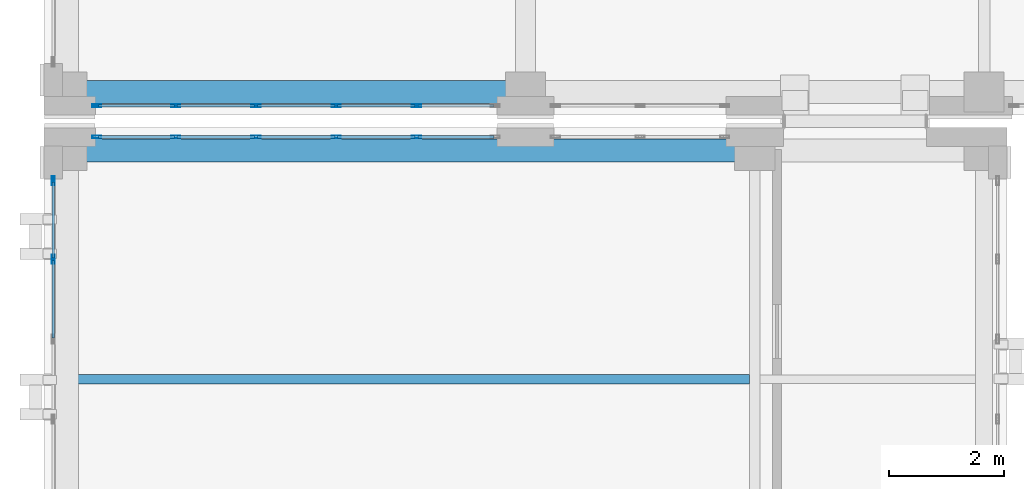
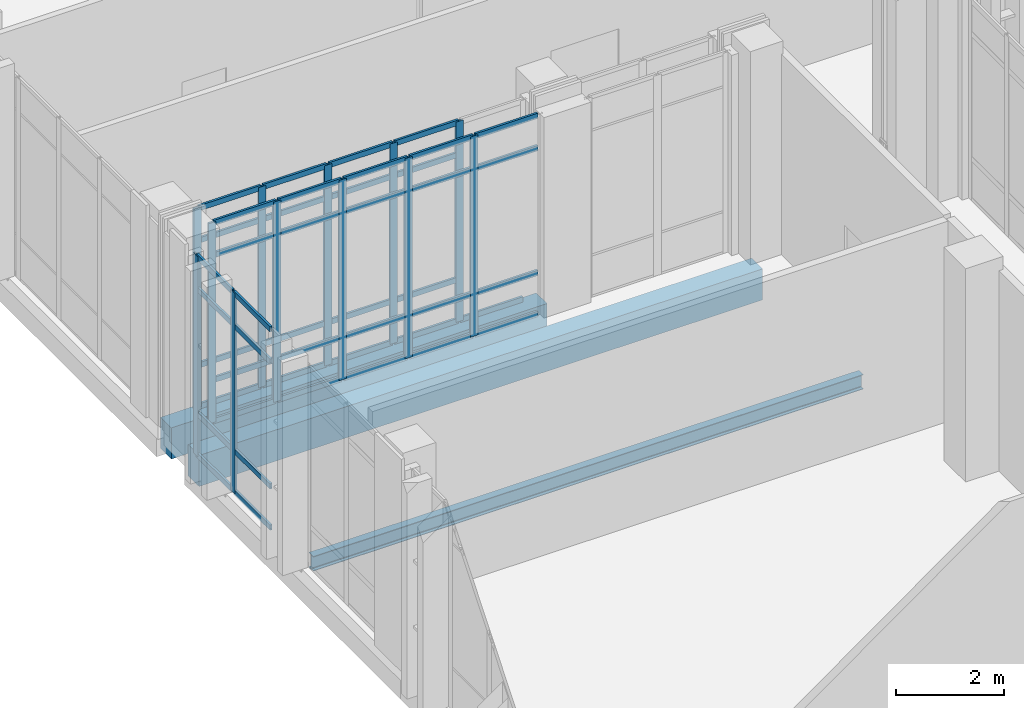
# One storey, part 78 of 189: 57 members, 3 beams, 3 elements without a shape of their own.
"""IFC4 building model written with IfcOpenShell, lengths in metres."""

from ifc_helpers import new_model, si_unit, direction, frame, origin, origin_2d, place, context, subcontext, project, spatial, rectangle, hollow_rectangle, i_section, extrude, material, layer, layer_set, material_profile, profile_set, type_object, element, aggregate, save


model = new_model("IFC4")

# Units and contexts
model_context = context("Model", 3, precision=1e-05, world=origin(), true_north=direction((0.0, 1.0)))
body_context = subcontext(model_context, "Body", "Model", "MODEL_VIEW")
ifc_project = project(units=[si_unit("LENGTHUNIT", "METRE"), si_unit("AREAUNIT", "SQUARE_METRE"), si_unit("VOLUMEUNIT", "CUBIC_METRE"), si_unit("PLANEANGLEUNIT", "RADIAN"), si_unit("MASSUNIT", "GRAM", prefix="KILO")], contexts=[model_context])

# Site, building, storey
site_placement = place(None, origin())
site = spatial("IfcSite", under=ifc_project, at=site_placement, CompositionType="ELEMENT")
building_placement = place(site_placement, origin())
building = spatial("IfcBuilding", under=site, at=building_placement, Name="Qalavern Law Courts", CompositionType="ELEMENT")
storey_placement = place(building_placement, frame((0.0, 0.0, 5.39990234375)))
storey = spatial("IfcBuildingStorey", under=building, at=storey_placement, Name="L01", CompositionType="ELEMENT", Elevation=5.39990234375)

# Curtain wall, members
ifc_material_1 = material(Name="Anodised aluminium and insulated glazing", Category="aluminium")
ifc_layer_1 = layer(ifc_material_1, 0.172119140625)
ifc_layer_set_1 = layer_set([ifc_layer_1], Name="Anodised aluminium and insulated glazing")
curtain_wall_type_1 = type_object("IfcCurtainWallType", Name="ENV-CW-COURT", PredefinedType="USERDEFINED", material=ifc_layer_set_1)
curtain_wall_1_placement = place(storey_placement, origin())
curtain_wall_1 = element("IfcCurtainWall", 1, at=curtain_wall_1_placement, inside=storey, type_object=curtain_wall_type_1, Name="V3 unitised curtain wall L01 north 2", ObjectType="UNITISED CURTAIN WALL", PredefinedType="USERDEFINED")
ifc_material_2 = material(Name="Anodised aluminium", Category="aluminium")
ifc_material_profile_1 = material_profile(ifc_material_2, hollow_rectangle(XDim=0.048095703125, YDim=0.159912109375, WallThickness=0.00390625, at=origin_2d()), Name="ALU MULLION 48x160")
ifc_profile_set_1 = profile_set([ifc_material_profile_1], Name="Anodised aluminium")
member_type_1 = type_object("IfcMemberType", Name="ENV-CWM-48x160", PredefinedType="MULLION", material=ifc_profile_set_1)
member_1_placement = place(storey_placement, frame((8.5, 95.8173828125, 0.0), z_axis=(0.0, 0.0, 1.0), x_axis=(0.0, -1.0, 0.0)))
member_1 = element("IfcMember", 2, at=member_1_placement, type_object=member_type_1, Name="CW-03 mullion 2", PredefinedType="MULLION", context=body_context, shape_type="SweptSolid", body=[
    extrude(hollow_rectangle(XDim=0.048095703125, YDim=0.159912109375, WallThickness=0.00390625, at=origin_2d()), origin(), (0.0, 0.0, 1.0), 4.510009765625),
])
member_2_placement = place(storey_placement, frame((7.10009765625, 95.8173828125, 0.0), z_axis=(0.0, 0.0, 1.0), x_axis=(0.0, -1.0, 0.0)))
member_2 = element("IfcMember", 3, at=member_2_placement, type_object=member_type_1, Name="CW-03 mullion 3", PredefinedType="MULLION", context=body_context, shape_type="SweptSolid", body=[
    extrude(hollow_rectangle(XDim=0.048095703125, YDim=0.159912109375, WallThickness=0.00390625, at=origin_2d()), origin(), (0.0, 0.0, 1.0), 4.510009765625),
])
member_3_placement = place(storey_placement, frame((5.699951171875, 95.8173828125, 0.0), z_axis=(0.0, 0.0, 1.0), x_axis=(0.0, -1.0, 0.0)))
member_3 = element("IfcMember", 4, at=member_3_placement, type_object=member_type_1, Name="CW-03 mullion 4", PredefinedType="MULLION", context=body_context, shape_type="SweptSolid", body=[
    extrude(hollow_rectangle(XDim=0.048095703125, YDim=0.159912109375, WallThickness=0.00390625, at=origin_2d()), origin(), (0.0, 0.0, 1.0), 4.510009765625),
])
member_4_placement = place(storey_placement, frame((4.300048828125, 95.8173828125, 0.0), z_axis=(0.0, 0.0, 1.0), x_axis=(0.0, -1.0, 0.0)))
member_4 = element("IfcMember", 5, at=member_4_placement, type_object=member_type_1, Name="CW-03 mullion 5", PredefinedType="MULLION", context=body_context, shape_type="SweptSolid", body=[
    extrude(hollow_rectangle(XDim=0.048095703125, YDim=0.159912109375, WallThickness=0.00390625, at=origin_2d()), origin(), (0.0, 0.0, 1.0), 4.510009765625),
])
member_5_placement = place(storey_placement, frame((2.924072265625, 95.8173828125, 0.0), z_axis=(0.0, 0.0, 1.0), x_axis=(0.0, -1.0, 0.0)))
member_5 = element("IfcMember", 6, at=member_5_placement, type_object=member_type_1, Name="CW-03 mullion 6", PredefinedType="MULLION", context=body_context, shape_type="SweptSolid", body=[
    extrude(hollow_rectangle(XDim=0.048095703125, YDim=0.159912109375, WallThickness=0.00390625, at=origin_2d()), origin(), (0.0, 0.0, 1.0), 4.510009765625),
])

curtain_wall_2_placement = place(storey_placement, origin())
curtain_wall_2 = element("IfcCurtainWall", 7, at=curtain_wall_2_placement, inside=storey, type_object=curtain_wall_type_1, Name="V3 unitised curtain wall L01 west 1", ObjectType="UNITISED CURTAIN WALL", PredefinedType="USERDEFINED")
member_6_placement = place(storey_placement, frame((2.16259765625, 95.055908203125, 0.0), z_axis=(0.0, 0.0, 1.0), x_axis=(1.0, 0.0, 0.0)))
member_6 = element("IfcMember", 8, at=member_6_placement, type_object=member_type_1, Name="CW-03 mullion 1", PredefinedType="MULLION", context=body_context, shape_type="SweptSolid", body=[
    extrude(hollow_rectangle(XDim=0.048095703125, YDim=0.159912109375, WallThickness=0.00390625, at=origin_2d()), origin(), (0.0, 0.0, 1.0), 4.510009765625),
])
member_7_placement = place(storey_placement, frame((2.16259765625, 93.68408203125, 0.0), z_axis=(0.0, 0.0, 1.0), x_axis=(1.0, 0.0, 0.0)))
member_7 = element("IfcMember", 9, at=member_7_placement, type_object=member_type_1, Name="CW-03 mullion 2", PredefinedType="MULLION", context=body_context, shape_type="SweptSolid", body=[
    extrude(hollow_rectangle(XDim=0.048095703125, YDim=0.159912109375, WallThickness=0.00390625, at=origin_2d()), origin(), (0.0, 0.0, 1.0), 4.510009765625),
])

ifc_layer_2 = layer(ifc_material_1, 0.166015625)
ifc_layer_set_2 = layer_set([ifc_layer_2], Name="Anodised aluminium and insulated glazing")
curtain_wall_type_2 = type_object("IfcCurtainWallType", Name="ENV-CW-LIB", PredefinedType="USERDEFINED", material=ifc_layer_set_2)
curtain_wall_3_placement = place(storey_placement, origin())
curtain_wall_3 = element("IfcCurtainWall", 10, at=curtain_wall_3_placement, inside=storey, type_object=curtain_wall_type_2, Name="V5 unitised curtain wall L01 south 1", ObjectType="UNITISED CURTAIN WALL", PredefinedType="USERDEFINED")
member_8_placement = place(storey_placement, frame((2.924072265625, 96.362548828125, 0.0), z_axis=(0.0, 0.0, 1.0), x_axis=(0.0, 1.0, 0.0)))
member_8 = element("IfcMember", 11, at=member_8_placement, type_object=member_type_1, Name="CW-05 mullion 1", PredefinedType="MULLION", context=body_context, shape_type="SweptSolid", body=[
    extrude(hollow_rectangle(XDim=0.048095703125, YDim=0.159912109375, WallThickness=0.00390625, at=origin_2d()), origin(), (0.0, 0.0, 1.0), 4.510009765625),
])
member_9_placement = place(storey_placement, frame((4.300048828125, 96.362548828125, 0.0), z_axis=(0.0, 0.0, 1.0), x_axis=(0.0, 1.0, 0.0)))
member_9 = element("IfcMember", 12, at=member_9_placement, type_object=member_type_1, Name="CW-05 mullion 2", PredefinedType="MULLION", context=body_context, shape_type="SweptSolid", body=[
    extrude(hollow_rectangle(XDim=0.048095703125, YDim=0.159912109375, WallThickness=0.00390625, at=origin_2d()), origin(), (0.0, 0.0, 1.0), 4.510009765625),
])
member_10_placement = place(storey_placement, frame((5.699951171875, 96.362548828125, 0.0), z_axis=(0.0, 0.0, 1.0), x_axis=(0.0, 1.0, 0.0)))
member_10 = element("IfcMember", 13, at=member_10_placement, type_object=member_type_1, Name="CW-05 mullion 3", PredefinedType="MULLION", context=body_context, shape_type="SweptSolid", body=[
    extrude(hollow_rectangle(XDim=0.048095703125, YDim=0.159912109375, WallThickness=0.00390625, at=origin_2d()), origin(), (0.0, 0.0, 1.0), 4.510009765625),
])
member_11_placement = place(storey_placement, frame((7.10009765625, 96.362548828125, 0.0), z_axis=(0.0, 0.0, 1.0), x_axis=(0.0, 1.0, 0.0)))
member_11 = element("IfcMember", 14, at=member_11_placement, type_object=member_type_1, Name="CW-05 mullion 4", PredefinedType="MULLION", context=body_context, shape_type="SweptSolid", body=[
    extrude(hollow_rectangle(XDim=0.048095703125, YDim=0.159912109375, WallThickness=0.00390625, at=origin_2d()), origin(), (0.0, 0.0, 1.0), 4.510009765625),
])
member_12_placement = place(storey_placement, frame((8.5, 96.362548828125, 0.0), z_axis=(0.0, 0.0, 1.0), x_axis=(0.0, 1.0, 0.0)))
member_12 = element("IfcMember", 15, at=member_12_placement, type_object=member_type_1, Name="CW-05 mullion 5", PredefinedType="MULLION", context=body_context, shape_type="SweptSolid", body=[
    extrude(hollow_rectangle(XDim=0.048095703125, YDim=0.159912109375, WallThickness=0.00390625, at=origin_2d()), origin(), (0.0, 0.0, 1.0), 4.510009765625),
])

# Member
ifc_material_profile_2 = material_profile(ifc_material_2, hollow_rectangle(XDim=0.048095703125, YDim=0.1201171875, WallThickness=0.00390625, at=origin_2d()), Name="ALU TRANSOM 48x120")
ifc_profile_set_2 = profile_set([ifc_material_profile_2], Name="Anodised aluminium")
member_type_2 = type_object("IfcMemberType", Name="ENV-CWT-48x120", PredefinedType="USERDEFINED", material=ifc_profile_set_2)
member_13_placement = place(storey_placement, frame((9.85205078125, 95.8173828125, 0.024169921875), z_axis=(-1.0, 0.0, 0.0), x_axis=(0.0, -1.0, 0.0)))
member_13 = element("IfcMember", 16, at=member_13_placement, type_object=member_type_2, Name="CW-03 transom 1.1", ObjectType="TRANSOM", PredefinedType="USERDEFINED", context=body_context, shape_type="SweptSolid", body=[
    extrude(hollow_rectangle(XDim=0.048095703125, YDim=0.1201171875, WallThickness=0.00390625, at=origin_2d()), origin(), (0.0, 0.0, 1.0), 1.328125),
])

member_14_placement = place(storey_placement, frame((9.85205078125, 95.8173828125, 0.9501953125), z_axis=(-1.0, 0.0, 0.0), x_axis=(0.0, -1.0, 0.0)))
member_14 = element("IfcMember", 17, at=member_14_placement, type_object=member_type_2, Name="CW-03 transom 1.2", ObjectType="TRANSOM", PredefinedType="USERDEFINED", context=body_context, shape_type="SweptSolid", body=[
    extrude(hollow_rectangle(XDim=0.048095703125, YDim=0.1201171875, WallThickness=0.00390625, at=origin_2d()), origin(), (0.0, 0.0, 1.0), 1.328125),
])

member_15_placement = place(storey_placement, frame((9.85205078125, 95.8173828125, 3.760009765625), z_axis=(-1.0, 0.0, 0.0), x_axis=(0.0, -1.0, 0.0)))
member_15 = element("IfcMember", 18, at=member_15_placement, type_object=member_type_2, Name="CW-03 transom 1.3", ObjectType="TRANSOM", PredefinedType="USERDEFINED", context=body_context, shape_type="SweptSolid", body=[
    extrude(hollow_rectangle(XDim=0.048095703125, YDim=0.1201171875, WallThickness=0.00390625, at=origin_2d()), origin(), (0.0, 0.0, 1.0), 1.328125),
])

member_16_placement = place(storey_placement, frame((9.85205078125, 95.8173828125, 4.486083984375), z_axis=(-1.0, 0.0, 0.0), x_axis=(0.0, -1.0, 0.0)))
member_16 = element("IfcMember", 19, at=member_16_placement, type_object=member_type_2, Name="CW-03 transom 1.4", ObjectType="TRANSOM", PredefinedType="USERDEFINED", context=body_context, shape_type="SweptSolid", body=[
    extrude(hollow_rectangle(XDim=0.048095703125, YDim=0.1201171875, WallThickness=0.00390625, at=origin_2d()), origin(), (0.0, 0.0, 1.0), 1.328125),
])

member_17_placement = place(storey_placement, frame((8.47607421875, 95.8173828125, 0.024169921875), z_axis=(-1.0, 0.0, 0.0), x_axis=(0.0, -1.0, 0.0)))
member_17 = element("IfcMember", 20, at=member_17_placement, type_object=member_type_2, Name="CW-03 transom 2.1", ObjectType="TRANSOM", PredefinedType="USERDEFINED", context=body_context, shape_type="SweptSolid", body=[
    extrude(hollow_rectangle(XDim=0.048095703125, YDim=0.1201171875, WallThickness=0.00390625, at=origin_2d()), origin(), (0.0, 0.0, 1.0), 1.35205078125),
])

member_18_placement = place(storey_placement, frame((8.47607421875, 95.8173828125, 0.9501953125), z_axis=(-1.0, 0.0, 0.0), x_axis=(0.0, -1.0, 0.0)))
member_18 = element("IfcMember", 21, at=member_18_placement, type_object=member_type_2, Name="CW-03 transom 2.2", ObjectType="TRANSOM", PredefinedType="USERDEFINED", context=body_context, shape_type="SweptSolid", body=[
    extrude(hollow_rectangle(XDim=0.048095703125, YDim=0.1201171875, WallThickness=0.00390625, at=origin_2d()), origin(), (0.0, 0.0, 1.0), 1.35205078125),
])

member_19_placement = place(storey_placement, frame((8.47607421875, 95.8173828125, 3.760009765625), z_axis=(-1.0, 0.0, 0.0), x_axis=(0.0, -1.0, 0.0)))
member_19 = element("IfcMember", 22, at=member_19_placement, type_object=member_type_2, Name="CW-03 transom 2.3", ObjectType="TRANSOM", PredefinedType="USERDEFINED", context=body_context, shape_type="SweptSolid", body=[
    extrude(hollow_rectangle(XDim=0.048095703125, YDim=0.1201171875, WallThickness=0.00390625, at=origin_2d()), origin(), (0.0, 0.0, 1.0), 1.35205078125),
])

member_20_placement = place(storey_placement, frame((8.47607421875, 95.8173828125, 4.486083984375), z_axis=(-1.0, 0.0, 0.0), x_axis=(0.0, -1.0, 0.0)))
member_20 = element("IfcMember", 23, at=member_20_placement, type_object=member_type_2, Name="CW-03 transom 2.4", ObjectType="TRANSOM", PredefinedType="USERDEFINED", context=body_context, shape_type="SweptSolid", body=[
    extrude(hollow_rectangle(XDim=0.048095703125, YDim=0.1201171875, WallThickness=0.00390625, at=origin_2d()), origin(), (0.0, 0.0, 1.0), 1.35205078125),
])

member_21_placement = place(storey_placement, frame((7.075927734375, 95.8173828125, 0.024169921875), z_axis=(-1.0, 0.0, 0.0), x_axis=(0.0, -1.0, 0.0)))
member_21 = element("IfcMember", 24, at=member_21_placement, type_object=member_type_2, Name="CW-03 transom 3.1", ObjectType="TRANSOM", PredefinedType="USERDEFINED", context=body_context, shape_type="SweptSolid", body=[
    extrude(hollow_rectangle(XDim=0.048095703125, YDim=0.1201171875, WallThickness=0.00390625, at=origin_2d()), origin(), (0.0, 0.0, 1.0), 1.351806640625),
])

member_22_placement = place(storey_placement, frame((7.075927734375, 95.8173828125, 0.9501953125), z_axis=(-1.0, 0.0, 0.0), x_axis=(0.0, -1.0, 0.0)))
member_22 = element("IfcMember", 25, at=member_22_placement, type_object=member_type_2, Name="CW-03 transom 3.2", ObjectType="TRANSOM", PredefinedType="USERDEFINED", context=body_context, shape_type="SweptSolid", body=[
    extrude(hollow_rectangle(XDim=0.048095703125, YDim=0.1201171875, WallThickness=0.00390625, at=origin_2d()), origin(), (0.0, 0.0, 1.0), 1.351806640625),
])

member_23_placement = place(storey_placement, frame((7.075927734375, 95.8173828125, 3.760009765625), z_axis=(-1.0, 0.0, 0.0), x_axis=(0.0, -1.0, 0.0)))
member_23 = element("IfcMember", 26, at=member_23_placement, type_object=member_type_2, Name="CW-03 transom 3.3", ObjectType="TRANSOM", PredefinedType="USERDEFINED", context=body_context, shape_type="SweptSolid", body=[
    extrude(hollow_rectangle(XDim=0.048095703125, YDim=0.1201171875, WallThickness=0.00390625, at=origin_2d()), origin(), (0.0, 0.0, 1.0), 1.351806640625),
])

member_24_placement = place(storey_placement, frame((7.075927734375, 95.8173828125, 4.486083984375), z_axis=(-1.0, 0.0, 0.0), x_axis=(0.0, -1.0, 0.0)))
member_24 = element("IfcMember", 27, at=member_24_placement, type_object=member_type_2, Name="CW-03 transom 3.4", ObjectType="TRANSOM", PredefinedType="USERDEFINED", context=body_context, shape_type="SweptSolid", body=[
    extrude(hollow_rectangle(XDim=0.048095703125, YDim=0.1201171875, WallThickness=0.00390625, at=origin_2d()), origin(), (0.0, 0.0, 1.0), 1.351806640625),
])

member_25_placement = place(storey_placement, frame((5.676025390625, 95.8173828125, 0.024169921875), z_axis=(-1.0, 0.0, 0.0), x_axis=(0.0, -1.0, 0.0)))
member_25 = element("IfcMember", 28, at=member_25_placement, type_object=member_type_2, Name="CW-03 transom 4.1", ObjectType="TRANSOM", PredefinedType="USERDEFINED", context=body_context, shape_type="SweptSolid", body=[
    extrude(hollow_rectangle(XDim=0.048095703125, YDim=0.1201171875, WallThickness=0.00390625, at=origin_2d()), origin(), (0.0, 0.0, 1.0), 1.35205078125),
])

member_26_placement = place(storey_placement, frame((5.676025390625, 95.8173828125, 0.9501953125), z_axis=(-1.0, 0.0, 0.0), x_axis=(0.0, -1.0, 0.0)))
member_26 = element("IfcMember", 29, at=member_26_placement, type_object=member_type_2, Name="CW-03 transom 4.2", ObjectType="TRANSOM", PredefinedType="USERDEFINED", context=body_context, shape_type="SweptSolid", body=[
    extrude(hollow_rectangle(XDim=0.048095703125, YDim=0.1201171875, WallThickness=0.00390625, at=origin_2d()), origin(), (0.0, 0.0, 1.0), 1.35205078125),
])

member_27_placement = place(storey_placement, frame((5.676025390625, 95.8173828125, 3.760009765625), z_axis=(-1.0, 0.0, 0.0), x_axis=(0.0, -1.0, 0.0)))
member_27 = element("IfcMember", 30, at=member_27_placement, type_object=member_type_2, Name="CW-03 transom 4.3", ObjectType="TRANSOM", PredefinedType="USERDEFINED", context=body_context, shape_type="SweptSolid", body=[
    extrude(hollow_rectangle(XDim=0.048095703125, YDim=0.1201171875, WallThickness=0.00390625, at=origin_2d()), origin(), (0.0, 0.0, 1.0), 1.35205078125),
])

member_28_placement = place(storey_placement, frame((5.676025390625, 95.8173828125, 4.486083984375), z_axis=(-1.0, 0.0, 0.0), x_axis=(0.0, -1.0, 0.0)))
member_28 = element("IfcMember", 31, at=member_28_placement, type_object=member_type_2, Name="CW-03 transom 4.4", ObjectType="TRANSOM", PredefinedType="USERDEFINED", context=body_context, shape_type="SweptSolid", body=[
    extrude(hollow_rectangle(XDim=0.048095703125, YDim=0.1201171875, WallThickness=0.00390625, at=origin_2d()), origin(), (0.0, 0.0, 1.0), 1.35205078125),
])

member_29_placement = place(storey_placement, frame((4.27587890625, 95.8173828125, 0.024169921875), z_axis=(-1.0, 0.0, 0.0), x_axis=(0.0, -1.0, 0.0)))
member_29 = element("IfcMember", 32, at=member_29_placement, type_object=member_type_2, Name="CW-03 transom 5.1", ObjectType="TRANSOM", PredefinedType="USERDEFINED", context=body_context, shape_type="SweptSolid", body=[
    extrude(hollow_rectangle(XDim=0.048095703125, YDim=0.1201171875, WallThickness=0.00390625, at=origin_2d()), origin(), (0.0, 0.0, 1.0), 1.327880859375),
])

member_30_placement = place(storey_placement, frame((4.27587890625, 95.8173828125, 0.9501953125), z_axis=(-1.0, 0.0, 0.0), x_axis=(0.0, -1.0, 0.0)))
member_30 = element("IfcMember", 33, at=member_30_placement, type_object=member_type_2, Name="CW-03 transom 5.2", ObjectType="TRANSOM", PredefinedType="USERDEFINED", context=body_context, shape_type="SweptSolid", body=[
    extrude(hollow_rectangle(XDim=0.048095703125, YDim=0.1201171875, WallThickness=0.00390625, at=origin_2d()), origin(), (0.0, 0.0, 1.0), 1.327880859375),
])

member_31_placement = place(storey_placement, frame((4.27587890625, 95.8173828125, 3.760009765625), z_axis=(-1.0, 0.0, 0.0), x_axis=(0.0, -1.0, 0.0)))
member_31 = element("IfcMember", 34, at=member_31_placement, type_object=member_type_2, Name="CW-03 transom 5.3", ObjectType="TRANSOM", PredefinedType="USERDEFINED", context=body_context, shape_type="SweptSolid", body=[
    extrude(hollow_rectangle(XDim=0.048095703125, YDim=0.1201171875, WallThickness=0.00390625, at=origin_2d()), origin(), (0.0, 0.0, 1.0), 1.327880859375),
])

member_32_placement = place(storey_placement, frame((4.27587890625, 95.8173828125, 4.486083984375), z_axis=(-1.0, 0.0, 0.0), x_axis=(0.0, -1.0, 0.0)))
member_32 = element("IfcMember", 35, at=member_32_placement, type_object=member_type_2, Name="CW-03 transom 5.4", ObjectType="TRANSOM", PredefinedType="USERDEFINED", context=body_context, shape_type="SweptSolid", body=[
    extrude(hollow_rectangle(XDim=0.048095703125, YDim=0.1201171875, WallThickness=0.00390625, at=origin_2d()), origin(), (0.0, 0.0, 1.0), 1.327880859375),
])

aggregate(curtain_wall_1, [member_1, member_2, member_3, member_4, member_5, member_13, member_14, member_15, member_16, member_17, member_18, member_19, member_20, member_21, member_22, member_23, member_24, member_25, member_26, member_27, member_28, member_29, member_30, member_31, member_32])

member_33_placement = place(storey_placement, frame((2.16259765625, 95.031982421875, 0.024169921875), z_axis=(0.0, -1.0, 0.0), x_axis=(1.0, 0.0, 0.0)))
member_33 = element("IfcMember", 36, at=member_33_placement, type_object=member_type_2, Name="CW-03 transom 1.1", ObjectType="TRANSOM", PredefinedType="USERDEFINED", context=body_context, shape_type="SweptSolid", body=[
    extrude(hollow_rectangle(XDim=0.048095703125, YDim=0.1201171875, WallThickness=0.00390625, at=origin_2d()), origin(), (0.0, 0.0, 1.0), 1.323974609375),
])

member_34_placement = place(storey_placement, frame((2.16259765625, 95.031982421875, 0.9501953125), z_axis=(0.0, -1.0, 0.0), x_axis=(1.0, 0.0, 0.0)))
member_34 = element("IfcMember", 37, at=member_34_placement, type_object=member_type_2, Name="CW-03 transom 1.2", ObjectType="TRANSOM", PredefinedType="USERDEFINED", context=body_context, shape_type="SweptSolid", body=[
    extrude(hollow_rectangle(XDim=0.048095703125, YDim=0.1201171875, WallThickness=0.00390625, at=origin_2d()), origin(), (0.0, 0.0, 1.0), 1.323974609375),
])

member_35_placement = place(storey_placement, frame((2.16259765625, 95.031982421875, 3.760009765625), z_axis=(0.0, -1.0, 0.0), x_axis=(1.0, 0.0, 0.0)))
member_35 = element("IfcMember", 38, at=member_35_placement, type_object=member_type_2, Name="CW-03 transom 1.3", ObjectType="TRANSOM", PredefinedType="USERDEFINED", context=body_context, shape_type="SweptSolid", body=[
    extrude(hollow_rectangle(XDim=0.048095703125, YDim=0.1201171875, WallThickness=0.00390625, at=origin_2d()), origin(), (0.0, 0.0, 1.0), 1.323974609375),
])

member_36_placement = place(storey_placement, frame((2.16259765625, 95.031982421875, 4.486083984375), z_axis=(0.0, -1.0, 0.0), x_axis=(1.0, 0.0, 0.0)))
member_36 = element("IfcMember", 39, at=member_36_placement, type_object=member_type_2, Name="CW-03 transom 1.4", ObjectType="TRANSOM", PredefinedType="USERDEFINED", context=body_context, shape_type="SweptSolid", body=[
    extrude(hollow_rectangle(XDim=0.048095703125, YDim=0.1201171875, WallThickness=0.00390625, at=origin_2d()), origin(), (0.0, 0.0, 1.0), 1.323974609375),
])

member_37_placement = place(storey_placement, frame((2.16259765625, 93.659912109375, 0.024169921875), z_axis=(0.0, -1.0, 0.0), x_axis=(1.0, 0.0, 0.0)))
member_37 = element("IfcMember", 40, at=member_37_placement, type_object=member_type_2, Name="CW-03 transom 2.1", ObjectType="TRANSOM", PredefinedType="USERDEFINED", context=body_context, shape_type="SweptSolid", body=[
    extrude(hollow_rectangle(XDim=0.048095703125, YDim=0.1201171875, WallThickness=0.00390625, at=origin_2d()), origin(), (0.0, 0.0, 1.0), 1.347900390625),
])

member_38_placement = place(storey_placement, frame((2.16259765625, 93.659912109375, 0.9501953125), z_axis=(0.0, -1.0, 0.0), x_axis=(1.0, 0.0, 0.0)))
member_38 = element("IfcMember", 41, at=member_38_placement, type_object=member_type_2, Name="CW-03 transom 2.2", ObjectType="TRANSOM", PredefinedType="USERDEFINED", context=body_context, shape_type="SweptSolid", body=[
    extrude(hollow_rectangle(XDim=0.048095703125, YDim=0.1201171875, WallThickness=0.00390625, at=origin_2d()), origin(), (0.0, 0.0, 1.0), 1.347900390625),
])

member_39_placement = place(storey_placement, frame((2.16259765625, 93.659912109375, 3.760009765625), z_axis=(0.0, -1.0, 0.0), x_axis=(1.0, 0.0, 0.0)))
member_39 = element("IfcMember", 42, at=member_39_placement, type_object=member_type_2, Name="CW-03 transom 2.3", ObjectType="TRANSOM", PredefinedType="USERDEFINED", context=body_context, shape_type="SweptSolid", body=[
    extrude(hollow_rectangle(XDim=0.048095703125, YDim=0.1201171875, WallThickness=0.00390625, at=origin_2d()), origin(), (0.0, 0.0, 1.0), 1.347900390625),
])

member_40_placement = place(storey_placement, frame((2.16259765625, 93.659912109375, 4.486083984375), z_axis=(0.0, -1.0, 0.0), x_axis=(1.0, 0.0, 0.0)))
member_40 = element("IfcMember", 43, at=member_40_placement, type_object=member_type_2, Name="CW-03 transom 2.4", ObjectType="TRANSOM", PredefinedType="USERDEFINED", context=body_context, shape_type="SweptSolid", body=[
    extrude(hollow_rectangle(XDim=0.048095703125, YDim=0.1201171875, WallThickness=0.00390625, at=origin_2d()), origin(), (0.0, 0.0, 1.0), 1.347900390625),
])

aggregate(curtain_wall_2, [member_6, member_7, member_33, member_34, member_35, member_36, member_37, member_38, member_39, member_40])

member_41_placement = place(storey_placement, frame((2.947998046875, 96.362548828125, 0.024169921875), z_axis=(1.0, 0.0, 0.0), x_axis=(0.0, 1.0, 0.0)))
member_41 = element("IfcMember", 44, at=member_41_placement, type_object=member_type_2, Name="CW-05 transom 1.1", ObjectType="TRANSOM", PredefinedType="USERDEFINED", context=body_context, shape_type="SweptSolid", body=[
    extrude(hollow_rectangle(XDim=0.048095703125, YDim=0.1201171875, WallThickness=0.00390625, at=origin_2d()), origin(), (0.0, 0.0, 1.0), 1.327880859375),
])

member_42_placement = place(storey_placement, frame((2.947998046875, 96.362548828125, 0.9501953125), z_axis=(1.0, 0.0, 0.0), x_axis=(0.0, 1.0, 0.0)))
member_42 = element("IfcMember", 45, at=member_42_placement, type_object=member_type_2, Name="CW-05 transom 1.2", ObjectType="TRANSOM", PredefinedType="USERDEFINED", context=body_context, shape_type="SweptSolid", body=[
    extrude(hollow_rectangle(XDim=0.048095703125, YDim=0.1201171875, WallThickness=0.00390625, at=origin_2d()), origin(), (0.0, 0.0, 1.0), 1.327880859375),
])

member_43_placement = place(storey_placement, frame((2.947998046875, 96.362548828125, 3.760009765625), z_axis=(1.0, 0.0, 0.0), x_axis=(0.0, 1.0, 0.0)))
member_43 = element("IfcMember", 46, at=member_43_placement, type_object=member_type_2, Name="CW-05 transom 1.3", ObjectType="TRANSOM", PredefinedType="USERDEFINED", context=body_context, shape_type="SweptSolid", body=[
    extrude(hollow_rectangle(XDim=0.048095703125, YDim=0.1201171875, WallThickness=0.00390625, at=origin_2d()), origin(), (0.0, 0.0, 1.0), 1.327880859375),
])

member_44_placement = place(storey_placement, frame((2.947998046875, 96.362548828125, 4.486083984375), z_axis=(1.0, 0.0, 0.0), x_axis=(0.0, 1.0, 0.0)))
member_44 = element("IfcMember", 47, at=member_44_placement, type_object=member_type_2, Name="CW-05 transom 1.4", ObjectType="TRANSOM", PredefinedType="USERDEFINED", context=body_context, shape_type="SweptSolid", body=[
    extrude(hollow_rectangle(XDim=0.048095703125, YDim=0.1201171875, WallThickness=0.00390625, at=origin_2d()), origin(), (0.0, 0.0, 1.0), 1.327880859375),
])

member_45_placement = place(storey_placement, frame((4.323974609375, 96.362548828125, 0.024169921875), z_axis=(1.0, 0.0, 0.0), x_axis=(0.0, 1.0, 0.0)))
member_45 = element("IfcMember", 48, at=member_45_placement, type_object=member_type_2, Name="CW-05 transom 2.1", ObjectType="TRANSOM", PredefinedType="USERDEFINED", context=body_context, shape_type="SweptSolid", body=[
    extrude(hollow_rectangle(XDim=0.048095703125, YDim=0.1201171875, WallThickness=0.00390625, at=origin_2d()), origin(), (0.0, 0.0, 1.0), 1.35205078125),
])

member_46_placement = place(storey_placement, frame((4.323974609375, 96.362548828125, 0.9501953125), z_axis=(1.0, 0.0, 0.0), x_axis=(0.0, 1.0, 0.0)))
member_46 = element("IfcMember", 49, at=member_46_placement, type_object=member_type_2, Name="CW-05 transom 2.2", ObjectType="TRANSOM", PredefinedType="USERDEFINED", context=body_context, shape_type="SweptSolid", body=[
    extrude(hollow_rectangle(XDim=0.048095703125, YDim=0.1201171875, WallThickness=0.00390625, at=origin_2d()), origin(), (0.0, 0.0, 1.0), 1.35205078125),
])

member_47_placement = place(storey_placement, frame((4.323974609375, 96.362548828125, 3.760009765625), z_axis=(1.0, 0.0, 0.0), x_axis=(0.0, 1.0, 0.0)))
member_47 = element("IfcMember", 50, at=member_47_placement, type_object=member_type_2, Name="CW-05 transom 2.3", ObjectType="TRANSOM", PredefinedType="USERDEFINED", context=body_context, shape_type="SweptSolid", body=[
    extrude(hollow_rectangle(XDim=0.048095703125, YDim=0.1201171875, WallThickness=0.00390625, at=origin_2d()), origin(), (0.0, 0.0, 1.0), 1.35205078125),
])

member_48_placement = place(storey_placement, frame((4.323974609375, 96.362548828125, 4.486083984375), z_axis=(1.0, 0.0, 0.0), x_axis=(0.0, 1.0, 0.0)))
member_48 = element("IfcMember", 51, at=member_48_placement, type_object=member_type_2, Name="CW-05 transom 2.4", ObjectType="TRANSOM", PredefinedType="USERDEFINED", context=body_context, shape_type="SweptSolid", body=[
    extrude(hollow_rectangle(XDim=0.048095703125, YDim=0.1201171875, WallThickness=0.00390625, at=origin_2d()), origin(), (0.0, 0.0, 1.0), 1.35205078125),
])

member_49_placement = place(storey_placement, frame((5.72412109375, 96.362548828125, 0.024169921875), z_axis=(1.0, 0.0, 0.0), x_axis=(0.0, 1.0, 0.0)))
member_49 = element("IfcMember", 52, at=member_49_placement, type_object=member_type_2, Name="CW-05 transom 3.1", ObjectType="TRANSOM", PredefinedType="USERDEFINED", context=body_context, shape_type="SweptSolid", body=[
    extrude(hollow_rectangle(XDim=0.048095703125, YDim=0.1201171875, WallThickness=0.00390625, at=origin_2d()), origin(), (0.0, 0.0, 1.0), 1.351806640625),
])

member_50_placement = place(storey_placement, frame((5.72412109375, 96.362548828125, 0.9501953125), z_axis=(1.0, 0.0, 0.0), x_axis=(0.0, 1.0, 0.0)))
member_50 = element("IfcMember", 53, at=member_50_placement, type_object=member_type_2, Name="CW-05 transom 3.2", ObjectType="TRANSOM", PredefinedType="USERDEFINED", context=body_context, shape_type="SweptSolid", body=[
    extrude(hollow_rectangle(XDim=0.048095703125, YDim=0.1201171875, WallThickness=0.00390625, at=origin_2d()), origin(), (0.0, 0.0, 1.0), 1.351806640625),
])

member_51_placement = place(storey_placement, frame((5.72412109375, 96.362548828125, 3.760009765625), z_axis=(1.0, 0.0, 0.0), x_axis=(0.0, 1.0, 0.0)))
member_51 = element("IfcMember", 54, at=member_51_placement, type_object=member_type_2, Name="CW-05 transom 3.3", ObjectType="TRANSOM", PredefinedType="USERDEFINED", context=body_context, shape_type="SweptSolid", body=[
    extrude(hollow_rectangle(XDim=0.048095703125, YDim=0.1201171875, WallThickness=0.00390625, at=origin_2d()), origin(), (0.0, 0.0, 1.0), 1.351806640625),
])

member_52_placement = place(storey_placement, frame((5.72412109375, 96.362548828125, 4.486083984375), z_axis=(1.0, 0.0, 0.0), x_axis=(0.0, 1.0, 0.0)))
member_52 = element("IfcMember", 55, at=member_52_placement, type_object=member_type_2, Name="CW-05 transom 3.4", ObjectType="TRANSOM", PredefinedType="USERDEFINED", context=body_context, shape_type="SweptSolid", body=[
    extrude(hollow_rectangle(XDim=0.048095703125, YDim=0.1201171875, WallThickness=0.00390625, at=origin_2d()), origin(), (0.0, 0.0, 1.0), 1.351806640625),
])

member_53_placement = place(storey_placement, frame((7.1240234375, 96.362548828125, 0.024169921875), z_axis=(1.0, 0.0, 0.0), x_axis=(0.0, 1.0, 0.0)))
member_53 = element("IfcMember", 56, at=member_53_placement, type_object=member_type_2, Name="CW-05 transom 4.1", ObjectType="TRANSOM", PredefinedType="USERDEFINED", context=body_context, shape_type="SweptSolid", body=[
    extrude(hollow_rectangle(XDim=0.048095703125, YDim=0.1201171875, WallThickness=0.00390625, at=origin_2d()), origin(), (0.0, 0.0, 1.0), 1.35205078125),
])

member_54_placement = place(storey_placement, frame((7.1240234375, 96.362548828125, 0.9501953125), z_axis=(1.0, 0.0, 0.0), x_axis=(0.0, 1.0, 0.0)))
member_54 = element("IfcMember", 57, at=member_54_placement, type_object=member_type_2, Name="CW-05 transom 4.2", ObjectType="TRANSOM", PredefinedType="USERDEFINED", context=body_context, shape_type="SweptSolid", body=[
    extrude(hollow_rectangle(XDim=0.048095703125, YDim=0.1201171875, WallThickness=0.00390625, at=origin_2d()), origin(), (0.0, 0.0, 1.0), 1.35205078125),
])

member_55_placement = place(storey_placement, frame((7.1240234375, 96.362548828125, 3.760009765625), z_axis=(1.0, 0.0, 0.0), x_axis=(0.0, 1.0, 0.0)))
member_55 = element("IfcMember", 58, at=member_55_placement, type_object=member_type_2, Name="CW-05 transom 4.3", ObjectType="TRANSOM", PredefinedType="USERDEFINED", context=body_context, shape_type="SweptSolid", body=[
    extrude(hollow_rectangle(XDim=0.048095703125, YDim=0.1201171875, WallThickness=0.00390625, at=origin_2d()), origin(), (0.0, 0.0, 1.0), 1.35205078125),
])

member_56_placement = place(storey_placement, frame((7.1240234375, 96.362548828125, 4.486083984375), z_axis=(1.0, 0.0, 0.0), x_axis=(0.0, 1.0, 0.0)))
member_56 = element("IfcMember", 59, at=member_56_placement, type_object=member_type_2, Name="CW-05 transom 4.4", ObjectType="TRANSOM", PredefinedType="USERDEFINED", context=body_context, shape_type="SweptSolid", body=[
    extrude(hollow_rectangle(XDim=0.048095703125, YDim=0.1201171875, WallThickness=0.00390625, at=origin_2d()), origin(), (0.0, 0.0, 1.0), 1.35205078125),
])

member_57_placement = place(storey_placement, frame((8.52392578125, 96.362548828125, 0.024169921875), z_axis=(1.0, 0.0, 0.0), x_axis=(0.0, 1.0, 0.0)))
member_57 = element("IfcMember", 60, at=member_57_placement, type_object=member_type_2, Name="CW-05 transom 5.1", ObjectType="TRANSOM", PredefinedType="USERDEFINED", context=body_context, shape_type="SweptSolid", body=[
    extrude(hollow_rectangle(XDim=0.048095703125, YDim=0.1201171875, WallThickness=0.00390625, at=origin_2d()), origin(), (0.0, 0.0, 1.0), 1.328125),
])

aggregate(curtain_wall_3, [member_8, member_9, member_10, member_11, member_12, member_41, member_42, member_43, member_44, member_45, member_46, member_47, member_48, member_49, member_50, member_51, member_52, member_53, member_54, member_55, member_56, member_57])

# Beams
ifc_material_3 = material(Name="Steel S355", Category="steel")
ifc_material_profile_3 = material_profile(ifc_material_3, i_section(OverallWidth=0.159912109375, OverallDepth=0.330078125, WebThickness=0.007568359375, FlangeThickness=0.011474609375, FilletRadius=0.01806640625, at=origin_2d()), Name="IPE 330")
ifc_profile_set_3 = profile_set([ifc_material_profile_3], Name="Steel S355")
beam_type_1 = type_object("IfcBeamType", Name="STR-JST-IPE330", PredefinedType="JOIST", material=ifc_profile_set_3)
beam_1_placement = place(storey_placement, frame((2.597900390625, 91.590087890625, -0.46484375), z_axis=(1.0, 0.0, 0.0), x_axis=(0.0, 1.0, 0.0)))
element("IfcBeam", 61, at=beam_1_placement, inside=storey, type_object=beam_type_1, Name="V3 secondary joist 1.7.1 L01", PredefinedType="JOIST", context=body_context, shape_type="SweptSolid", body=[
    extrude(i_section(OverallWidth=0.159912109375, OverallDepth=0.330078125, WebThickness=0.007568359375, FlangeThickness=0.011474609375, FilletRadius=0.01806640625, at=origin_2d()), origin(), (0.0, 0.0, 1.0), 11.714111328125),
])
ifc_material_4 = material(Name="Concrete C40/50", Category="concrete")
ifc_material_profile_4 = material_profile(ifc_material_4, rectangle(XDim=0.39990234375, YDim=0.699951171875, at=origin_2d()), Name="RC 400x700")
ifc_profile_set_4 = profile_set([ifc_material_profile_4], Name="Concrete C40/50")
beam_type_2 = type_object("IfcBeamType", Name="STR-SP-RC400x700", PredefinedType="SPANDREL", material=ifc_profile_set_4)
beam_2_placement = place(storey_placement, frame((2.39990234375, 95.580078125, -0.64990234375), z_axis=(1.0, 0.0, 0.0), x_axis=(0.0, 1.0, 0.0)))
element("IfcBeam", 62, at=beam_2_placement, inside=storey, type_object=beam_type_2, Name="V3 X-beam 8-1 L01", PredefinedType="SPANDREL", context=body_context, shape_type="SweptSolid", body=[
    extrude(rectangle(XDim=0.39990234375, YDim=0.699951171875, at=origin_2d()), origin(), (0.0, 0.0, 1.0), 12.0),
])
beam_3_placement = place(storey_placement, frame((2.39990234375, 96.60009765625, -0.64990234375), z_axis=(1.0, 0.0, 0.0), x_axis=(0.0, 1.0, 0.0)))
element("IfcBeam", 63, at=beam_3_placement, inside=storey, type_object=beam_type_2, Name="V5 X-beam 1-1 L01", PredefinedType="SPANDREL", context=body_context, shape_type="SweptSolid", body=[
    extrude(rectangle(XDim=0.39990234375, YDim=0.699951171875, at=origin_2d()), origin(), (0.0, 0.0, 1.0), 8.0),
])

save(model, "model.ifc")
